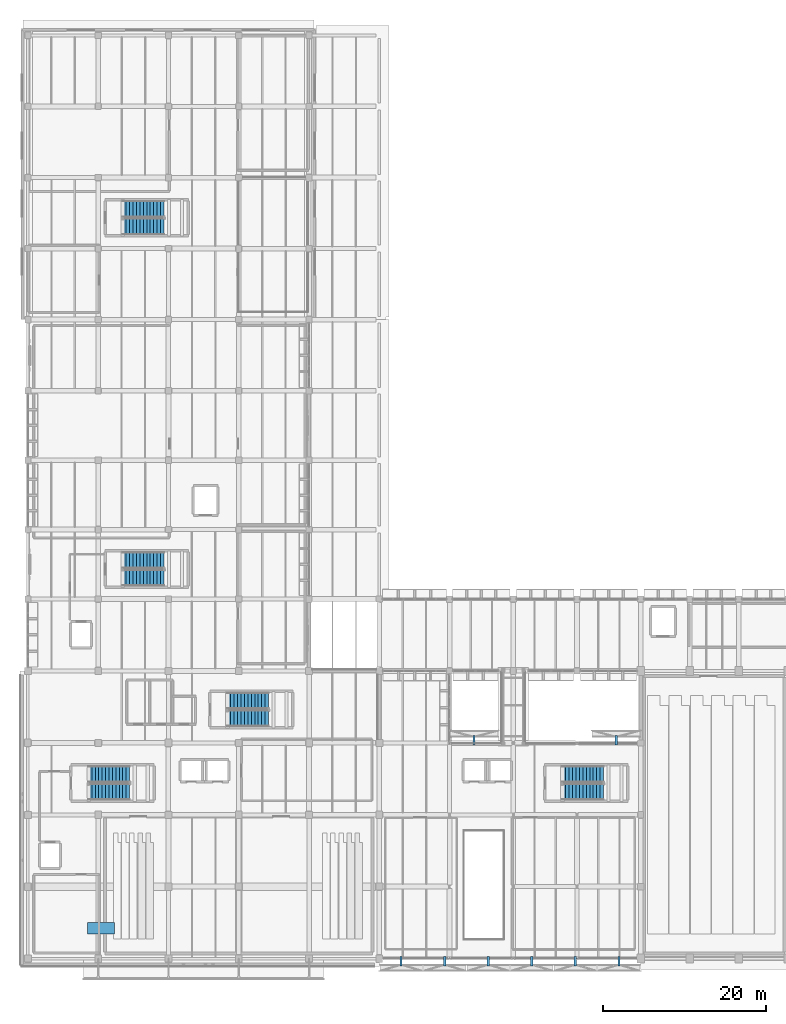
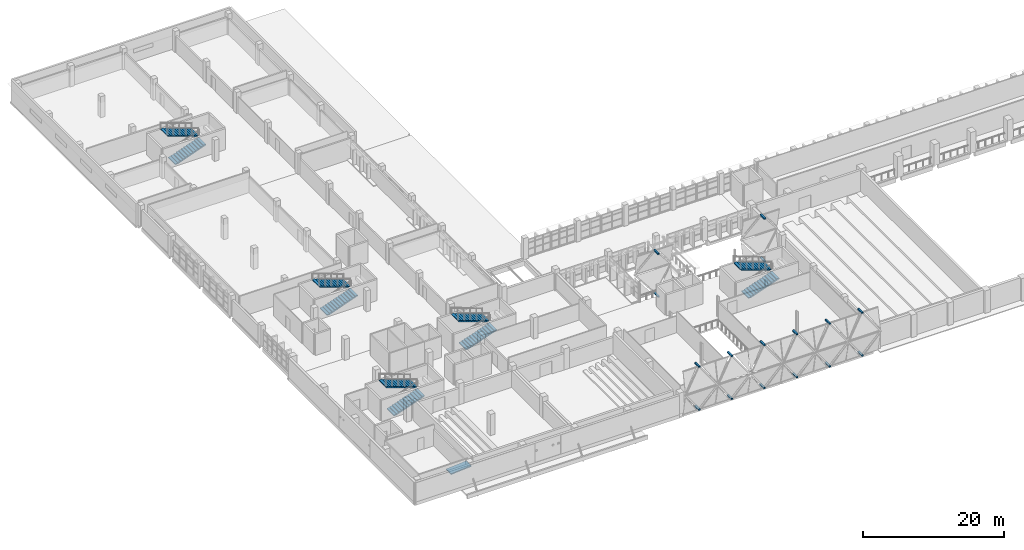
# One storey, part 66 of 80: 16 discrete accessories, 10 stair flights, 1 ramp flight, 6 elements without a shape of their own.
"""IFC4 building model written with IfcOpenShell, lengths in metres."""

from ifc_helpers import new_model, si_unit, direction, frame, origin, origin_2d, place, context, subcontext, project, spatial, polyline, rectangle, outline, extrude, material, type_object, element, aggregate, save


model = new_model("IFC4")

# Units and contexts
model_context = context("Model", 3, precision=1e-05, world=origin(), true_north=direction((0.0, 1.0)))
body_context = subcontext(model_context, "Body", "Model", "MODEL_VIEW")
ifc_project = project(units=[si_unit("LENGTHUNIT", "METRE"), si_unit("AREAUNIT", "SQUARE_METRE"), si_unit("VOLUMEUNIT", "CUBIC_METRE"), si_unit("PLANEANGLEUNIT", "RADIAN"), si_unit("MASSUNIT", "GRAM", prefix="KILO")], contexts=[model_context])

# Site, building, storey
site_placement = place(None, origin())
site = spatial("IfcSite", under=ifc_project, at=site_placement, CompositionType="ELEMENT")
building_placement = place(site_placement, origin())
building = spatial("IfcBuilding", under=site, at=building_placement, Name="Varnakota Cinema and Media Centre", CompositionType="ELEMENT")
storey_placement = place(building_placement, frame((0.0, 0.0, 4.5)))
storey = spatial("IfcBuildingStorey", under=building, at=storey_placement, Name="L01", CompositionType="ELEMENT", Elevation=4.5)

# Stair, stair flights
ifc_material_1 = material(Name="Concrete M35", Category="concrete")
stair_type_1 = type_object("IfcStairType", Name="STR-CORE-ST-01-2000", PredefinedType="HALF_TURN_STAIR", material=ifc_material_1)
stair_1_placement = place(storey_placement, origin())
stair_1 = element("IfcStair", 1, at=stair_1_placement, inside=storey, type_object=stair_type_1, Name="L01 West Firefighting Stair 1", PredefinedType="HALF_TURN_STAIR")
ifc_material_2 = material(Name="Concrete M35", Category="concrete")
stair_flight_type_1 = type_object("IfcStairFlightType", Name="STF-CORE-ST-01-2000", PredefinedType="STRAIGHT", material=ifc_material_2)
stair_flight_1_placement = place(storey_placement, frame((7.39990234375, 20.39990234375, 0.0), z_axis=(0.0, 0.0, 1.0), x_axis=(1.0, 0.0, 0.0)))
stair_flight_1 = element("IfcStairFlight", 2, at=stair_flight_1_placement, type_object=stair_flight_type_1, Name="ST-01 flight 1", NumberOfRisers=13, NumberOfTreads=12, PredefinedType="STRAIGHT", RiserHeight=0.15, TreadLength=0.42, context=body_context, shape_type="SweptSolid", body=[
    extrude(outline(polyline([(0.0, 0.0), (0.0, 0.14990234375), (0.419921875, 0.14990234375), (0.419921875, 0.300048828125), (0.840087890625, 0.300048828125), (0.840087890625, 0.449951171875), (1.260009765625, 0.449951171875), (1.260009765625, 0.60009765625), (1.679931640625, 0.60009765625), (1.679931640625, 0.75), (2.10009765625, 0.75), (2.10009765625, 0.89990234375), (2.52001953125, 0.89990234375), (2.52001953125, 1.050048828125), (2.93994140625, 1.050048828125), (2.93994140625, 1.199951171875), (3.360107421875, 1.199951171875), (3.360107421875, 1.35009765625), (3.780029296875, 1.35009765625), (3.780029296875, 1.5), (4.199951171875, 1.5), (4.199951171875, 1.64990234375), (4.6201171875, 1.64990234375), (4.6201171875, 1.800048828125), (5.0400390625, 1.800048828125), (5.0400390625, 1.949951171875), (5.0400390625, 1.640869140625), (0.44580078125, 0.0), (0.0, 0.0)])), frame((0.0, 1.0, 0.0), z_axis=(0.0, -1.0, 0.0), x_axis=(1.0, 0.0, 0.0)), (0.0, 0.0, 1.0), 2.0),
])
stair_flight_2_placement = place(storey_placement, frame((12.43994140625, 22.550048828125, 1.949951171875), z_axis=(0.0, 0.0, 1.0), x_axis=(-1.0, 0.0, 0.0)))
stair_flight_2 = element("IfcStairFlight", 3, at=stair_flight_2_placement, type_object=stair_flight_type_1, Name="ST-01 flight 2", NumberOfRisers=13, NumberOfTreads=12, PredefinedType="STRAIGHT", RiserHeight=0.15, TreadLength=0.42, context=body_context, shape_type="SweptSolid", body=[
    extrude(outline(polyline([(0.0, 0.0), (0.0, 0.14990234375), (0.419921875, 0.14990234375), (0.419921875, 0.300048828125), (0.840087890625, 0.300048828125), (0.840087890625, 0.449951171875), (1.260009765625, 0.449951171875), (1.260009765625, 0.60009765625), (1.679931640625, 0.60009765625), (1.679931640625, 0.75), (2.10009765625, 0.75), (2.10009765625, 0.89990234375), (2.52001953125, 0.89990234375), (2.52001953125, 1.050048828125), (2.93994140625, 1.050048828125), (2.93994140625, 1.199951171875), (3.360107421875, 1.199951171875), (3.360107421875, 1.35009765625), (3.780029296875, 1.35009765625), (3.780029296875, 1.5), (4.199951171875, 1.5), (4.199951171875, 1.64990234375), (4.6201171875, 1.64990234375), (4.6201171875, 1.800048828125), (5.0400390625, 1.800048828125), (5.0400390625, 1.949951171875), (5.0400390625, 1.640869140625), (0.44580078125, 0.0), (0.0, 0.0)])), frame((0.0, 1.0, 0.0), z_axis=(0.0, -1.0, 0.0), x_axis=(1.0, 0.0, 0.0)), (0.0, 0.0, 1.0), 2.0),
])
aggregate(stair_1, [stair_flight_1, stair_flight_2])

ifc_material_3 = material(Name="Concrete M35", Category="concrete")
stair_type_2 = type_object("IfcStairType", Name="STR-CORE-ST-02-2000", PredefinedType="HALF_TURN_STAIR", material=ifc_material_3)
stair_2_placement = place(storey_placement, origin())
stair_2 = element("IfcStair", 4, at=stair_2_placement, inside=storey, type_object=stair_type_2, Name="L01 Cinema North Escape Stair 2", PredefinedType="HALF_TURN_STAIR")
ifc_material_4 = material(Name="Concrete M35", Category="concrete")
stair_flight_type_2 = type_object("IfcStairFlightType", Name="STF-CORE-ST-02-2000", PredefinedType="STRAIGHT", material=ifc_material_4)
stair_flight_3_placement = place(storey_placement, frame((24.39990234375, 29.39990234375, 0.0), z_axis=(0.0, 0.0, 1.0), x_axis=(1.0, 0.0, 0.0)))
stair_flight_3 = element("IfcStairFlight", 5, at=stair_flight_3_placement, type_object=stair_flight_type_2, Name="ST-02 flight 1", NumberOfRisers=13, NumberOfTreads=12, PredefinedType="STRAIGHT", RiserHeight=0.15, TreadLength=0.42, context=body_context, shape_type="SweptSolid", body=[
    extrude(outline(polyline([(0.0, 0.0), (0.0, 0.14990234375), (0.419921875, 0.14990234375), (0.419921875, 0.300048828125), (0.840087890625, 0.300048828125), (0.840087890625, 0.449951171875), (1.260009765625, 0.449951171875), (1.260009765625, 0.60009765625), (1.679931640625, 0.60009765625), (1.679931640625, 0.75), (2.10009765625, 0.75), (2.10009765625, 0.89990234375), (2.52001953125, 0.89990234375), (2.52001953125, 1.050048828125), (2.93994140625, 1.050048828125), (2.93994140625, 1.199951171875), (3.360107421875, 1.199951171875), (3.360107421875, 1.35009765625), (3.780029296875, 1.35009765625), (3.780029296875, 1.5), (4.199951171875, 1.5), (4.199951171875, 1.64990234375), (4.6201171875, 1.64990234375), (4.6201171875, 1.800048828125), (5.0400390625, 1.800048828125), (5.0400390625, 1.949951171875), (5.0400390625, 1.640869140625), (0.44580078125, 0.0), (0.0, 0.0)])), frame((0.0, 1.0, 0.0), z_axis=(0.0, -1.0, 0.0), x_axis=(1.0, 0.0, 0.0)), (0.0, 0.0, 1.0), 2.0),
])
stair_flight_4_placement = place(storey_placement, frame((29.43994140625, 31.550048828125, 1.949951171875), z_axis=(0.0, 0.0, 1.0), x_axis=(-1.0, 0.0, 0.0)))
stair_flight_4 = element("IfcStairFlight", 6, at=stair_flight_4_placement, type_object=stair_flight_type_2, Name="ST-02 flight 2", NumberOfRisers=13, NumberOfTreads=12, PredefinedType="STRAIGHT", RiserHeight=0.15, TreadLength=0.42, context=body_context, shape_type="SweptSolid", body=[
    extrude(outline(polyline([(0.0, 0.0), (0.0, 0.14990234375), (0.419921875, 0.14990234375), (0.419921875, 0.300048828125), (0.840087890625, 0.300048828125), (0.840087890625, 0.449951171875), (1.260009765625, 0.449951171875), (1.260009765625, 0.60009765625), (1.679931640625, 0.60009765625), (1.679931640625, 0.75), (2.10009765625, 0.75), (2.10009765625, 0.89990234375), (2.52001953125, 0.89990234375), (2.52001953125, 1.050048828125), (2.93994140625, 1.050048828125), (2.93994140625, 1.199951171875), (3.360107421875, 1.199951171875), (3.360107421875, 1.35009765625), (3.780029296875, 1.35009765625), (3.780029296875, 1.5), (4.199951171875, 1.5), (4.199951171875, 1.64990234375), (4.6201171875, 1.64990234375), (4.6201171875, 1.800048828125), (5.0400390625, 1.800048828125), (5.0400390625, 1.949951171875), (5.0400390625, 1.640869140625), (0.44580078125, 0.0), (0.0, 0.0)])), frame((0.0, 1.0, 0.0), z_axis=(0.0, -1.0, 0.0), x_axis=(1.0, 0.0, 0.0)), (0.0, 0.0, 1.0), 2.0),
])
aggregate(stair_2, [stair_flight_3, stair_flight_4])

ifc_material_5 = material(Name="Concrete M35", Category="concrete")
stair_type_3 = type_object("IfcStairType", Name="STR-CORE-ST-03-2000", PredefinedType="HALF_TURN_STAIR", material=ifc_material_5)
stair_3_placement = place(storey_placement, origin())
stair_3 = element("IfcStair", 7, at=stair_3_placement, inside=storey, type_object=stair_type_3, Name="L01 Studio Firefighting Stair 3", PredefinedType="HALF_TURN_STAIR")
ifc_material_6 = material(Name="Concrete M35", Category="concrete")
stair_flight_type_3 = type_object("IfcStairFlightType", Name="STF-CORE-ST-03-2000", PredefinedType="STRAIGHT", material=ifc_material_6)
stair_flight_5_placement = place(storey_placement, frame((11.60009765625, 46.60009765625, 0.0), z_axis=(0.0, 0.0, 1.0), x_axis=(1.0, 0.0, 0.0)))
stair_flight_5 = element("IfcStairFlight", 8, at=stair_flight_5_placement, type_object=stair_flight_type_3, Name="ST-03 flight 1", NumberOfRisers=13, NumberOfTreads=12, PredefinedType="STRAIGHT", RiserHeight=0.15, TreadLength=0.42, context=body_context, shape_type="SweptSolid", body=[
    extrude(outline(polyline([(0.0, 0.0), (0.0, 0.14990234375), (0.419921875, 0.14990234375), (0.419921875, 0.300048828125), (0.840087890625, 0.300048828125), (0.840087890625, 0.449951171875), (1.260009765625, 0.449951171875), (1.260009765625, 0.60009765625), (1.679931640625, 0.60009765625), (1.679931640625, 0.75), (2.10009765625, 0.75), (2.10009765625, 0.89990234375), (2.52001953125, 0.89990234375), (2.52001953125, 1.050048828125), (2.93994140625, 1.050048828125), (2.93994140625, 1.199951171875), (3.360107421875, 1.199951171875), (3.360107421875, 1.35009765625), (3.780029296875, 1.35009765625), (3.780029296875, 1.5), (4.199951171875, 1.5), (4.199951171875, 1.64990234375), (4.6201171875, 1.64990234375), (4.6201171875, 1.800048828125), (5.0400390625, 1.800048828125), (5.0400390625, 1.949951171875), (5.0400390625, 1.640869140625), (0.44580078125, 0.0), (0.0, 0.0)])), frame((0.0, 1.0, 0.0), z_axis=(0.0, -1.0, 0.0), x_axis=(1.0, 0.0, 0.0)), (0.0, 0.0, 1.0), 2.0),
])
stair_flight_6_placement = place(storey_placement, frame((16.639892578125, 48.75, 1.949951171875), z_axis=(0.0, 0.0, 1.0), x_axis=(-1.0, 0.0, 0.0)))
stair_flight_6 = element("IfcStairFlight", 9, at=stair_flight_6_placement, type_object=stair_flight_type_3, Name="ST-03 flight 2", NumberOfRisers=13, NumberOfTreads=12, PredefinedType="STRAIGHT", RiserHeight=0.15, TreadLength=0.42, context=body_context, shape_type="SweptSolid", body=[
    extrude(outline(polyline([(0.0, 0.0), (0.0, 0.14990234375), (0.419921875, 0.14990234375), (0.419921875, 0.300048828125), (0.840087890625, 0.300048828125), (0.840087890625, 0.449951171875), (1.260009765625, 0.449951171875), (1.260009765625, 0.60009765625), (1.679931640625, 0.60009765625), (1.679931640625, 0.75), (2.10009765625, 0.75), (2.10009765625, 0.89990234375), (2.52001953125, 0.89990234375), (2.52001953125, 1.050048828125), (2.93994140625, 1.050048828125), (2.93994140625, 1.199951171875), (3.360107421875, 1.199951171875), (3.360107421875, 1.35009765625), (3.780029296875, 1.35009765625), (3.780029296875, 1.5), (4.199951171875, 1.5), (4.199951171875, 1.64990234375), (4.6201171875, 1.64990234375), (4.6201171875, 1.800048828125), (5.0400390625, 1.800048828125), (5.0400390625, 1.949951171875), (5.0400390625, 1.640869140625), (0.44580078125, 0.0), (0.0, 0.0)])), frame((0.0, 1.0, 0.0), z_axis=(0.0, -1.0, 0.0), x_axis=(1.0, 0.0, 0.0)), (0.0, 0.0, 1.0), 2.0),
])
aggregate(stair_3, [stair_flight_5, stair_flight_6])

ifc_material_7 = material(Name="Concrete M35", Category="concrete")
stair_type_4 = type_object("IfcStairType", Name="STR-CORE-ST-04-2000", PredefinedType="HALF_TURN_STAIR", material=ifc_material_7)
stair_4_placement = place(storey_placement, origin())
stair_4 = element("IfcStair", 10, at=stair_4_placement, inside=storey, type_object=stair_type_4, Name="L01 Foyer and Terrace Escape Stair 4", PredefinedType="HALF_TURN_STAIR")
ifc_material_8 = material(Name="Concrete M35", Category="concrete")
stair_flight_type_4 = type_object("IfcStairFlightType", Name="STF-CORE-ST-04-2000", PredefinedType="STRAIGHT", material=ifc_material_8)
stair_flight_7_placement = place(storey_placement, frame((65.39990234375, 20.39990234375, 0.0), z_axis=(0.0, 0.0, 1.0), x_axis=(1.0, 0.0, 0.0)))
stair_flight_7 = element("IfcStairFlight", 11, at=stair_flight_7_placement, type_object=stair_flight_type_4, Name="ST-04 flight 1", NumberOfRisers=13, NumberOfTreads=12, PredefinedType="STRAIGHT", RiserHeight=0.15, TreadLength=0.42, context=body_context, shape_type="SweptSolid", body=[
    extrude(outline(polyline([(0.0, 0.0), (0.0, 0.14990234375), (0.419921875, 0.14990234375), (0.419921875, 0.300048828125), (0.840087890625, 0.300048828125), (0.840087890625, 0.449951171875), (1.260009765625, 0.449951171875), (1.260009765625, 0.60009765625), (1.679931640625, 0.60009765625), (1.679931640625, 0.75), (2.10009765625, 0.75), (2.10009765625, 0.89990234375), (2.52001953125, 0.89990234375), (2.52001953125, 1.050048828125), (2.93994140625, 1.050048828125), (2.93994140625, 1.199951171875), (3.360107421875, 1.199951171875), (3.360107421875, 1.35009765625), (3.780029296875, 1.35009765625), (3.780029296875, 1.5), (4.199951171875, 1.5), (4.199951171875, 1.64990234375), (4.6201171875, 1.64990234375), (4.6201171875, 1.800048828125), (5.0400390625, 1.800048828125), (5.0400390625, 1.949951171875), (5.0400390625, 1.640869140625), (0.44580078125, 0.0), (0.0, 0.0)])), frame((0.0, 1.0, 0.0), z_axis=(0.0, -1.0, 0.0), x_axis=(1.0, 0.0, 0.0)), (0.0, 0.0, 1.0), 2.0),
])
stair_flight_8_placement = place(storey_placement, frame((70.43994140625, 22.550048828125, 1.949951171875), z_axis=(0.0, 0.0, 1.0), x_axis=(-1.0, 0.0, 0.0)))
stair_flight_8 = element("IfcStairFlight", 12, at=stair_flight_8_placement, type_object=stair_flight_type_4, Name="ST-04 flight 2", NumberOfRisers=13, NumberOfTreads=12, PredefinedType="STRAIGHT", RiserHeight=0.15, TreadLength=0.42, context=body_context, shape_type="SweptSolid", body=[
    extrude(outline(polyline([(0.0, 0.0), (0.0, 0.14990234375), (0.419921875, 0.14990234375), (0.419921875, 0.300048828125), (0.840087890625, 0.300048828125), (0.840087890625, 0.449951171875), (1.260009765625, 0.449951171875), (1.260009765625, 0.60009765625), (1.679931640625, 0.60009765625), (1.679931640625, 0.75), (2.10009765625, 0.75), (2.10009765625, 0.89990234375), (2.52001953125, 0.89990234375), (2.52001953125, 1.050048828125), (2.93994140625, 1.050048828125), (2.93994140625, 1.199951171875), (3.360107421875, 1.199951171875), (3.360107421875, 1.35009765625), (3.780029296875, 1.35009765625), (3.780029296875, 1.5), (4.199951171875, 1.5), (4.199951171875, 1.64990234375), (4.6201171875, 1.64990234375), (4.6201171875, 1.800048828125), (5.0400390625, 1.800048828125), (5.0400390625, 1.949951171875), (5.0400390625, 1.640869140625), (0.44580078125, 0.0), (0.0, 0.0)])), frame((0.0, 1.0, 0.0), z_axis=(0.0, -1.0, 0.0), x_axis=(1.0, 0.0, 0.0)), (0.0, 0.0, 1.0), 2.0),
])
aggregate(stair_4, [stair_flight_7, stair_flight_8])

ifc_material_9 = material(Name="Concrete M35", Category="concrete")
stair_type_5 = type_object("IfcStairType", Name="STR-CORE-ST-05-2000", PredefinedType="HALF_TURN_STAIR", material=ifc_material_9)
stair_5_placement = place(storey_placement, origin())
stair_5 = element("IfcStair", 13, at=stair_5_placement, inside=storey, type_object=stair_type_5, Name="L01 North Editing Escape Stair 5", PredefinedType="HALF_TURN_STAIR")
ifc_material_10 = material(Name="Concrete M35", Category="concrete")
stair_flight_type_5 = type_object("IfcStairFlightType", Name="STF-CORE-ST-05-2000", PredefinedType="STRAIGHT", material=ifc_material_10)
stair_flight_9_placement = place(storey_placement, frame((11.60009765625, 89.60009765625, 0.0), z_axis=(0.0, 0.0, 1.0), x_axis=(1.0, 0.0, 0.0)))
stair_flight_9 = element("IfcStairFlight", 14, at=stair_flight_9_placement, type_object=stair_flight_type_5, Name="ST-05 flight 1", NumberOfRisers=13, NumberOfTreads=12, PredefinedType="STRAIGHT", RiserHeight=0.15, TreadLength=0.42, context=body_context, shape_type="SweptSolid", body=[
    extrude(outline(polyline([(0.0, 0.0), (0.0, 0.14990234375), (0.419921875, 0.14990234375), (0.419921875, 0.300048828125), (0.840087890625, 0.300048828125), (0.840087890625, 0.449951171875), (1.260009765625, 0.449951171875), (1.260009765625, 0.60009765625), (1.679931640625, 0.60009765625), (1.679931640625, 0.75), (2.10009765625, 0.75), (2.10009765625, 0.89990234375), (2.52001953125, 0.89990234375), (2.52001953125, 1.050048828125), (2.93994140625, 1.050048828125), (2.93994140625, 1.199951171875), (3.360107421875, 1.199951171875), (3.360107421875, 1.35009765625), (3.780029296875, 1.35009765625), (3.780029296875, 1.5), (4.199951171875, 1.5), (4.199951171875, 1.64990234375), (4.6201171875, 1.64990234375), (4.6201171875, 1.800048828125), (5.0400390625, 1.800048828125), (5.0400390625, 1.949951171875), (5.0400390625, 1.640869140625), (0.44580078125, 0.0), (0.0, 0.0)])), frame((0.0, 1.0, 0.0), z_axis=(0.0, -1.0, 0.0), x_axis=(1.0, 0.0, 0.0)), (0.0, 0.0, 1.0), 2.0),
])
stair_flight_10_placement = place(storey_placement, frame((16.639892578125, 91.75, 1.949951171875), z_axis=(0.0, 0.0, 1.0), x_axis=(-1.0, 0.0, 0.0)))
stair_flight_10 = element("IfcStairFlight", 15, at=stair_flight_10_placement, type_object=stair_flight_type_5, Name="ST-05 flight 2", NumberOfRisers=13, NumberOfTreads=12, PredefinedType="STRAIGHT", RiserHeight=0.15, TreadLength=0.42, context=body_context, shape_type="SweptSolid", body=[
    extrude(outline(polyline([(0.0, 0.0), (0.0, 0.14990234375), (0.419921875, 0.14990234375), (0.419921875, 0.300048828125), (0.840087890625, 0.300048828125), (0.840087890625, 0.449951171875), (1.260009765625, 0.449951171875), (1.260009765625, 0.60009765625), (1.679931640625, 0.60009765625), (1.679931640625, 0.75), (2.10009765625, 0.75), (2.10009765625, 0.89990234375), (2.52001953125, 0.89990234375), (2.52001953125, 1.050048828125), (2.93994140625, 1.050048828125), (2.93994140625, 1.199951171875), (3.360107421875, 1.199951171875), (3.360107421875, 1.35009765625), (3.780029296875, 1.35009765625), (3.780029296875, 1.5), (4.199951171875, 1.5), (4.199951171875, 1.64990234375), (4.6201171875, 1.64990234375), (4.6201171875, 1.800048828125), (5.0400390625, 1.800048828125), (5.0400390625, 1.949951171875), (5.0400390625, 1.640869140625), (0.44580078125, 0.0), (0.0, 0.0)])), frame((0.0, 1.0, 0.0), z_axis=(0.0, -1.0, 0.0), x_axis=(1.0, 0.0, 0.0)), (0.0, 0.0, 1.0), 2.0),
])
aggregate(stair_5, [stair_flight_9, stair_flight_10])

# Ramp, ramp flight
ifc_material_11 = material(Name="Concrete M35", Category="concrete")
ramp_type = type_object("IfcRampType", Name="RMP-PED-1800", PredefinedType="STRAIGHT_RUN_RAMP", material=ifc_material_11)
ramp_placement = place(storey_placement, frame((8.949951171875, 3.699951171875, 0.079833984375), z_axis=(0.0, 0.0, 1.0), x_axis=(1.0, 0.0, 0.0)))
ramp = element("IfcRamp", 16, at=ramp_placement, inside=storey, type_object=ramp_type, Name="Screen 2 wheelchair companion ramp", PredefinedType="STRAIGHT_RUN_RAMP")
ifc_material_12 = material(Name="Concrete M35", Category="concrete")
ramp_flight_type = type_object("IfcRampFlightType", Name="RMPFL-PED-180", PredefinedType="STRAIGHT", material=ifc_material_12)
ramp_flight_placement = place(storey_placement, frame((7.300048828125, 3.0, 0.0), z_axis=(-0.078546249269, 0.0, 0.996910470767), x_axis=(0.996910470767, 0.0, 0.078546249269)))
ramp_flight = element("IfcRampFlight", 17, at=ramp_flight_placement, type_object=ramp_flight_type, Name="Screen 2 wheelchair companion ramp flight", PredefinedType="STRAIGHT", context=body_context, shape_type="SweptSolid", body=[
    extrude(outline(polyline([(0.0, 0.0), (3.31027602266481, 0.0), (3.31027602266481, 1.39990234375), (0.0, 1.39990234375), (0.0, 0.0)])), origin(), (0.0, 0.0, -1.0), 0.179931640625),
])
aggregate(ramp, [ramp_flight])

# Discrete accessories
ifc_material_13 = material(Name="Structural steel Grade 350 (E350)", Category="steel")
discrete_accessory_type = type_object("IfcDiscreteAccessoryType", Name="ACC-BRACKET-DMD", PredefinedType="BRACKET", material=ifc_material_13)
for number, where, z_axis, x_axis, name in (
    (18, (72.333251953125, -0.324951171875, -0.08984375), (0.0, 0.0, 1.0), (-1.0, 0.0, 0.0), "CW-V6DMD-S-T1-D01 diamond curtain wall slab bracket 1"),
    (19, (72.333251953125, -0.324951171875, 7.31005859375), (0.0, 0.0, 1.0), (-1.0, 0.0, 0.0), "CW-V6DMD-S-T1-D01 diamond curtain wall slab bracket 2"),
    (20, (67.0, -0.324951171875, -0.08984375), (0.0, 0.0, 1.0), (-1.0, 0.0, 0.0), "CW-V6DMD-S-T1-D02 diamond curtain wall slab bracket 1"),
    (21, (67.0, -0.324951171875, 7.31005859375), (0.0, 0.0, 1.0), (-1.0, 0.0, 0.0), "CW-V6DMD-S-T1-D02 diamond curtain wall slab bracket 2"),
    (22, (61.666748046875, -0.324951171875, -0.08984375), (0.0, 0.0, 1.0), (-1.0, 0.0, 0.0), "CW-V6DMD-S-T1-D03 diamond curtain wall slab bracket 1"),
    (23, (61.666748046875, -0.324951171875, 7.31005859375), (0.0, 0.0, 1.0), (-1.0, 0.0, 0.0), "CW-V6DMD-S-T1-D03 diamond curtain wall slab bracket 2"),
    (24, (56.333251953125, -0.324951171875, -0.08984375), (0.0, 0.0, 1.0), (-1.0, 0.0, 0.0), "CW-V6DMD-S-T1-D04 diamond curtain wall slab bracket 1"),
    (25, (56.333251953125, -0.324951171875, 7.31005859375), (0.0, 0.0, 1.0), (-1.0, 0.0, 0.0), "CW-V6DMD-S-T1-D04 diamond curtain wall slab bracket 2"),
    (26, (51.0, -0.324951171875, -0.08984375), (0.0, 0.0, 1.0), (-1.0, 0.0, 0.0), "CW-V6DMD-S-T1-D05 diamond curtain wall slab bracket 1"),
    (27, (51.0, -0.324951171875, 7.31005859375), (0.0, 0.0, 1.0), (-1.0, 0.0, 0.0), "CW-V6DMD-S-T1-D05 diamond curtain wall slab bracket 2"),
    (28, (45.666748046875, -0.324951171875, -0.08984375), (0.0, 0.0, 1.0), (-1.0, 0.0, 0.0), "CW-V6DMD-S-T1-D06 diamond curtain wall slab bracket 1"),
    (29, (45.666748046875, -0.324951171875, 7.31005859375), (0.0, 0.0, 1.0), (-1.0, 0.0, 0.0), "CW-V6DMD-S-T1-D06 diamond curtain wall slab bracket 2"),
    (30, (72.0, 26.72509765625, -0.08984375), (0.0, 0.0, 1.0), (1.0, 0.0, 0.0), "CW-V6DMD-N-T1E-D01 diamond curtain wall slab bracket 1"),
    (31, (72.0, 26.72509765625, 7.31005859375), (0.0, 0.0, 1.0), (1.0, 0.0, 0.0), "CW-V6DMD-N-T1E-D01 diamond curtain wall slab bracket 2"),
    (32, (54.60009765625, 26.72509765625, -0.08984375), (0.0, 0.0, 1.0), (1.0, 0.0, 0.0), "CW-V6DMD-N-T1W-D01 diamond curtain wall slab bracket 1"),
    (33, (54.60009765625, 26.72509765625, 7.31005859375), (0.0, 0.0, 1.0), (1.0, 0.0, 0.0), "CW-V6DMD-N-T1W-D01 diamond curtain wall slab bracket 2"),
):
    element("IfcDiscreteAccessory", number, at=place(storey_placement, frame(where, z_axis=z_axis, x_axis=x_axis)), inside=storey, type_object=discrete_accessory_type, Name=name, PredefinedType="BRACKET", context=body_context, shape_type="SweptSolid", body=[
        extrude(rectangle(XDim=0.280029296875, YDim=1.199951171875, at=origin_2d()), origin(), (0.0, 0.0, 1.0), 0.219970703125),
    ])

save(model, "model.ifc")
